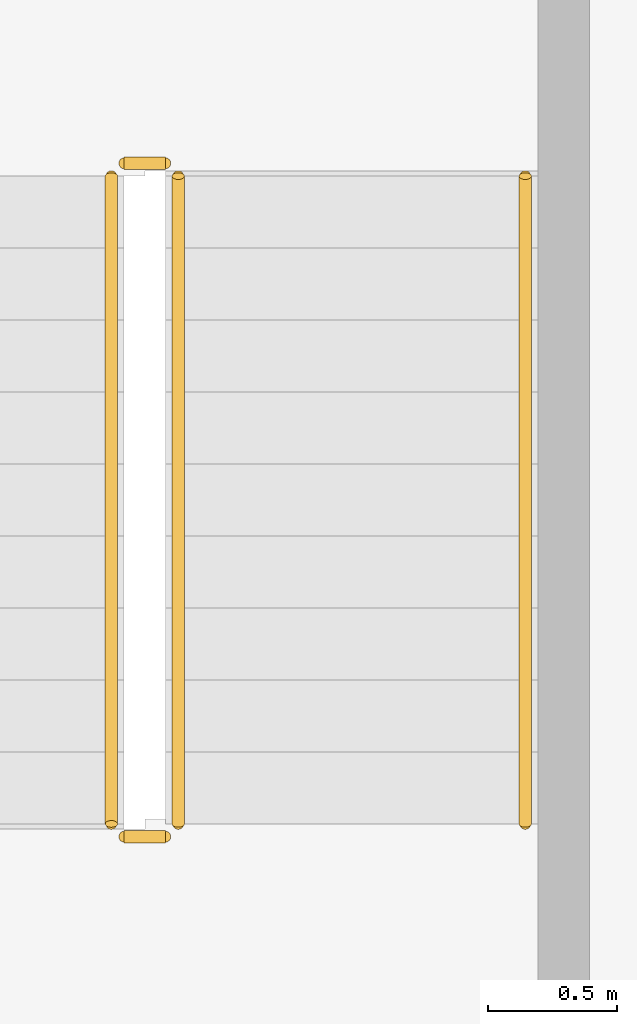
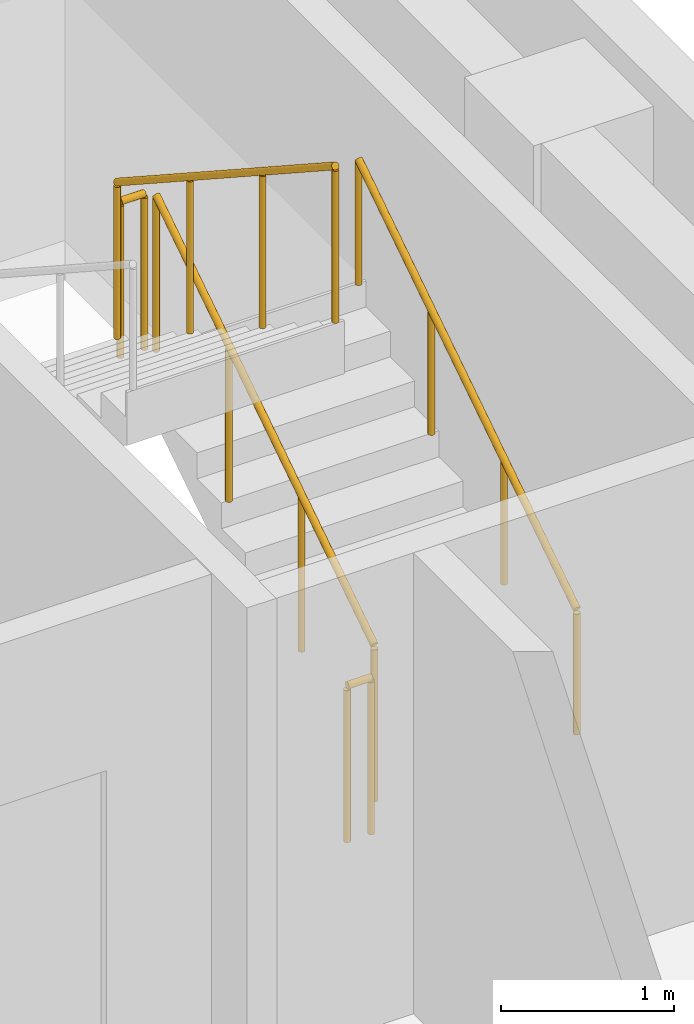
# One storey, part 14 of 15: 5 railings.
"""IFC4 building model written with IfcOpenShell, lengths in metres."""

from ifc_helpers import new_model, si_unit, direction, frame, origin, origin_2d, place, context, subcontext, project, spatial, circle, extrude, material, type_object, element, save


model = new_model("IFC4")

# Units and contexts
model_context = context("Model", 3, precision=1e-05, world=origin(), true_north=direction((0.0, 1.0)))
body_context = subcontext(model_context, "Body", "Model", "MODEL_VIEW")
ifc_project = project(units=[si_unit("LENGTHUNIT", "METRE"), si_unit("AREAUNIT", "SQUARE_METRE"), si_unit("VOLUMEUNIT", "CUBIC_METRE"), si_unit("PLANEANGLEUNIT", "RADIAN"), si_unit("MASSUNIT", "GRAM", prefix="KILO")], contexts=[model_context])

# Site, building, storey
site_placement = place(None, origin())
site = spatial("IfcSite", under=ifc_project, at=site_placement, CompositionType="ELEMENT")
building_placement = place(site_placement, origin())
building = spatial("IfcBuilding", under=site, at=building_placement, Name="Nuvemarco Arch Tower", CompositionType="ELEMENT")
storey_placement = place(building_placement, frame((0.0, 0.0, 283.5)))
storey = spatial("IfcBuildingStorey", under=building, at=storey_placement, Name="L75", CompositionType="ELEMENT", Elevation=283.5)

# Railings
ifc_material_1 = material(Name="Brushed stainless steel handrail", Category="steel")
railing_type_1 = type_object("IfcRailingType", Name="RL-HANDRAIL-900", PredefinedType="HANDRAIL", material=ifc_material_1)
railing_1_placement = place(storey_placement, frame((16.550048828125, 2.64990234375, 0.1826171875)))
element("IfcRailing", 1, at=railing_1_placement, inside=storey, type_object=railing_type_1, Name="L75 ST-2 stair handrail 1", PredefinedType="HANDRAIL", context=body_context, shape_type="SweptSolid", body=[
    extrude(circle(Radius=0.02392578125, at=origin_2d()), frame((0.0, 0.0, 0.8759765625), z_axis=(0.0, 0.837786554691, 0.545997883492), x_axis=(-1.0, 0.0, 0.0)), (0.0, 0.0, 1.0), 3.008056640625),
    extrude(circle(Radius=0.02099609375, at=origin_2d()), origin(), (0.0, 0.0, 1.0), 0.851806640625),
    extrude(circle(Radius=0.02099609375, at=origin_2d()), frame((0.0, 0.840087890625, 0.54736328125)), (0.0, 0.0, 1.0), 0.851806640625),
    extrude(circle(Radius=0.02099609375, at=origin_2d()), frame((0.0, 1.679931640625, 1.094970703125)), (0.0, 0.0, 1.0), 0.851806640625),
    extrude(circle(Radius=0.02099609375, at=origin_2d()), frame((0.0, 2.52001953125, 1.642333984375)), (0.0, 0.0, 1.0), 0.851806640625),
])
ifc_material_2 = material(Name="Painted balustrade steel S355", Category="steel")
railing_type_2 = type_object("IfcRailingType", Name="RL-STAIR-GUARD", PredefinedType="GUARDRAIL", material=ifc_material_2)
railing_2_placement = place(storey_placement, frame((15.199951171875, 2.64990234375, 0.1826171875)))
element("IfcRailing", 2, at=railing_2_placement, inside=storey, type_object=railing_type_2, Name="L75 ST-2 stair guard 1", PredefinedType="GUARDRAIL", context=body_context, shape_type="SweptSolid", body=[
    extrude(circle(Radius=0.02392578125, at=origin_2d()), frame((0.0, 0.0, 1.09619140625), z_axis=(0.0, 0.837786554691, 0.545997883492), x_axis=(-1.0, 0.0, 0.0)), (0.0, 0.0, 1.0), 3.008056640625),
    extrude(circle(Radius=0.02099609375, at=origin_2d()), origin(), (0.0, 0.0, 1.0), 1.072021484375),
    extrude(circle(Radius=0.02099609375, at=origin_2d()), frame((0.0, 0.840087890625, 0.54736328125)), (0.0, 0.0, 1.0), 1.072021484375),
    extrude(circle(Radius=0.02099609375, at=origin_2d()), frame((0.0, 1.679931640625, 1.094970703125)), (0.0, 0.0, 1.0), 1.072021484375),
    extrude(circle(Radius=0.02099609375, at=origin_2d()), frame((0.0, 2.52001953125, 1.642333984375)), (0.0, 0.0, 1.0), 1.072021484375),
])
railing_3_placement = place(storey_placement, frame((15.14990234375, 5.219970703125, 1.824951171875)))
element("IfcRailing", 3, at=railing_3_placement, inside=storey, type_object=railing_type_2, Name="L75 ST-2 stair guard 2", PredefinedType="GUARDRAIL", context=body_context, shape_type="SweptSolid", body=[
    extrude(circle(Radius=0.02392578125, at=origin_2d()), frame((0.0, 0.0, 1.09619140625), z_axis=(-1.0, 0.0, 0.0), x_axis=(0.0, -1.0, 0.0)), (0.0, 0.0, 1.0), 0.159912109375),
    extrude(circle(Radius=0.02099609375, at=origin_2d()), origin(), (0.0, 0.0, 1.0), 1.072021484375),
    extrude(circle(Radius=0.02099609375, at=origin_2d()), frame((-0.159912109375, 0.0, 0.0)), (0.0, 0.0, 1.0), 1.072021484375),
])
railing_4_placement = place(storey_placement, frame((14.93994140625, 5.169921875, 2.007568359375)))
element("IfcRailing", 4, at=railing_4_placement, inside=storey, type_object=railing_type_2, Name="L75 ST-2 stair guard 3", PredefinedType="GUARDRAIL", context=body_context, shape_type="SweptSolid", body=[
    extrude(circle(Radius=0.02392578125, at=origin_2d()), frame((0.0, 0.0, 1.09619140625), z_axis=(0.0, -0.837786554691, 0.545997883492), x_axis=(1.0, 0.0, 0.0)), (0.0, 0.0, 1.0), 3.008056640625),
    extrude(circle(Radius=0.02099609375, at=origin_2d()), origin(), (0.0, 0.0, 1.0), 1.072021484375),
    extrude(circle(Radius=0.02099609375, at=origin_2d()), frame((0.0, -0.840087890625, 0.54736328125)), (0.0, 0.0, 1.0), 1.072021484375),
    extrude(circle(Radius=0.02099609375, at=origin_2d()), frame((0.0, -1.679931640625, 1.094970703125)), (0.0, 0.0, 1.0), 1.072021484375),
    extrude(circle(Radius=0.02099609375, at=origin_2d()), frame((0.0, -2.52001953125, 1.642333984375)), (0.0, 0.0, 1.0), 1.072021484375),
])
railing_5_placement = place(storey_placement, frame((15.14990234375, 2.60009765625, 0.0)))
element("IfcRailing", 5, at=railing_5_placement, inside=storey, type_object=railing_type_2, Name="L75 ST-2 stair guard 4", PredefinedType="GUARDRAIL", context=body_context, shape_type="SweptSolid", body=[
    extrude(circle(Radius=0.02392578125, at=origin_2d()), frame((0.0, 0.0, 1.09619140625), z_axis=(-1.0, 0.0, 0.0), x_axis=(0.0, -1.0, 0.0)), (0.0, 0.0, 1.0), 0.159912109375),
    extrude(circle(Radius=0.02099609375, at=origin_2d()), origin(), (0.0, 0.0, 1.0), 1.072021484375),
    extrude(circle(Radius=0.02099609375, at=origin_2d()), frame((-0.159912109375, 0.0, 0.0)), (0.0, 0.0, 1.0), 1.072021484375),
])

save(model, "model.ifc")
